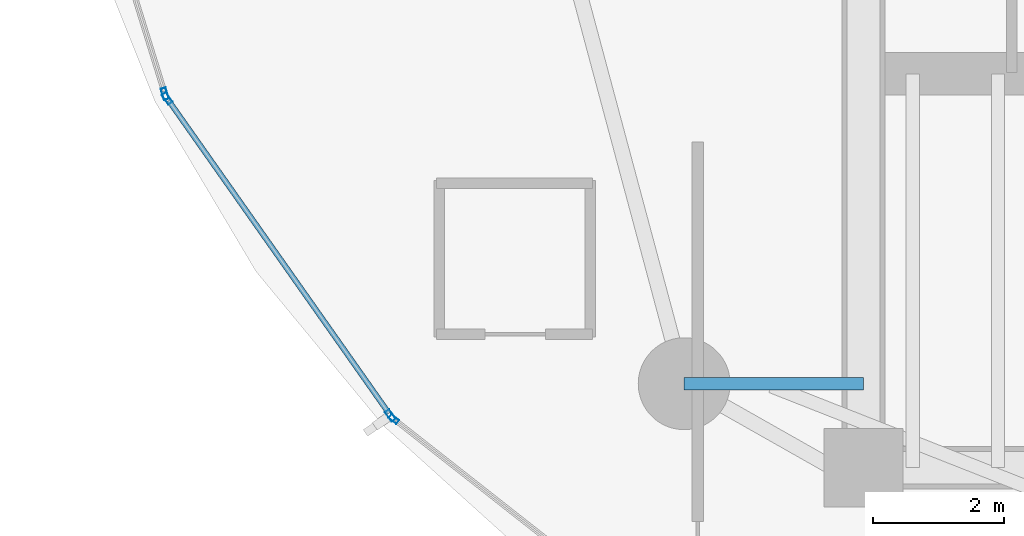
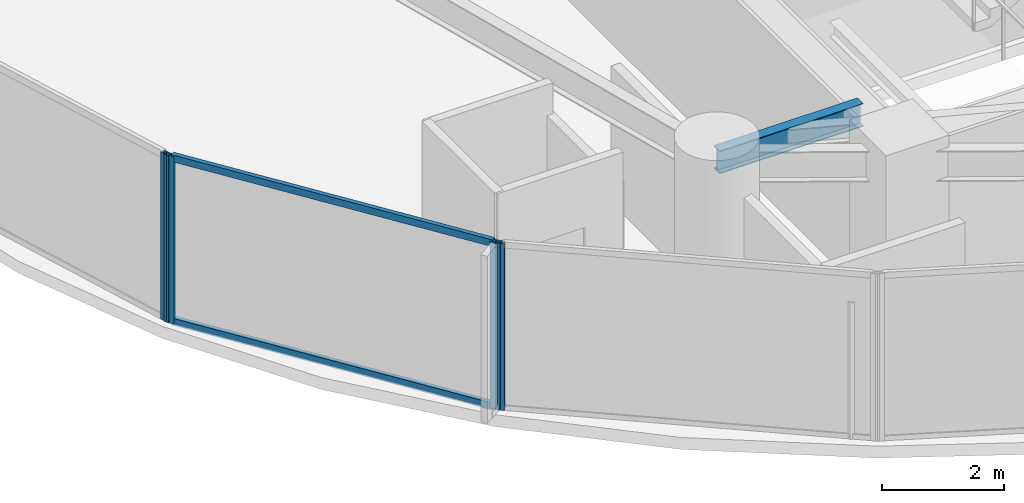
# One storey, part 3 of 32: 6 members, 1 beam, 3 elements without a shape of their own.
"""IFC4 building model written with IfcOpenShell, lengths in metres."""

from ifc_helpers import new_model, si_unit, direction, frame, origin, origin_2d, place, context, subcontext, project, spatial, hollow_rectangle, i_section, extrude, material, layer, layer_set, material_profile, profile_set, type_object, element, aggregate, save


model = new_model("IFC4")

# Units and contexts
model_context = context("Model", 3, precision=1e-05, world=origin(), true_north=direction((0.0, 1.0)))
body_context = subcontext(model_context, "Body", "Model", "MODEL_VIEW")
ifc_project = project(units=[si_unit("LENGTHUNIT", "METRE"), si_unit("AREAUNIT", "SQUARE_METRE"), si_unit("VOLUMEUNIT", "CUBIC_METRE"), si_unit("PLANEANGLEUNIT", "RADIAN"), si_unit("MASSUNIT", "GRAM", prefix="KILO")], contexts=[model_context])

# Site, building, storey
site_placement = place(None, origin())
site = spatial("IfcSite", under=ifc_project, at=site_placement, CompositionType="ELEMENT")
building_placement = place(site_placement, origin())
building = spatial("IfcBuilding", under=site, at=building_placement, Name="Kazevale Care Tower and Concert Hall", CompositionType="ELEMENT")
storey_placement = place(building_placement, frame((0.0, 0.0, 38.39990234375)))
storey = spatial("IfcBuildingStorey", under=building, at=storey_placement, Name="L09", CompositionType="ELEMENT", Elevation=38.39990234375)

# Curtain wall, members
ifc_material_1 = material(Name="Aluminium 6063-T6 and Low-E Glass", Category="aluminium")
ifc_layer_1 = layer(ifc_material_1, 0.179931640625)
ifc_layer_set_1 = layer_set([ifc_layer_1], Name="Aluminium 6063-T6 and Low-E Glass")
curtain_wall_type_1 = type_object("IfcCurtainWallType", Name="Waist & Upper Residential Curtain Wall CW-4", PredefinedType="NOTDEFINED", material=ifc_layer_set_1)
curtain_wall_1_placement = place(storey_placement, origin())
curtain_wall_1 = element("IfcCurtainWall", 1, at=curtain_wall_1_placement, inside=storey, type_object=curtain_wall_type_1, Name="cw:L09:f11", PredefinedType="NOTDEFINED")
ifc_material_2 = material(Name="Aluminium 6063-T6", Category="aluminium")
ifc_material_profile_1 = material_profile(ifc_material_2, hollow_rectangle(XDim=0.080078125, YDim=0.179931640625, WallThickness=0.0048828125, at=origin_2d()), Name="ALU80x180x5")
ifc_profile_set_1 = profile_set([ifc_material_profile_1], Name="Aluminium 6063-T6")
member_type_1 = type_object("IfcMemberType", Name="CW-4 Mullion ALU80x180x5", PredefinedType="MULLION", material=ifc_profile_set_1)
member_1_placement = place(storey_placement, frame((14.794921875, 24.396728515625, 0.0), z_axis=(0.0, 0.0, 1.0), x_axis=(-0.817564654583, -0.575836813322, 0.0)))
member_1 = element("IfcMember", 2, at=member_1_placement, type_object=member_type_1, Name="CW-4 mullion 1", PredefinedType="MULLION", context=body_context, shape_type="SweptSolid", body=[
    extrude(hollow_rectangle(XDim=0.080078125, YDim=0.179931640625, WallThickness=0.0048828125, at=origin_2d()), origin(), (0.0, 0.0, 1.0), 3.360107421875),
])
member_2_placement = place(storey_placement, frame((11.39404296875, 29.225341796875, 0.0), z_axis=(0.0, 0.0, 1.0), x_axis=(-0.817564654583, -0.575836813322, 0.0)))
member_2 = element("IfcMember", 3, at=member_2_placement, type_object=member_type_1, Name="CW-4 mullion 2", PredefinedType="MULLION", context=body_context, shape_type="SweptSolid", body=[
    extrude(hollow_rectangle(XDim=0.080078125, YDim=0.179931640625, WallThickness=0.0048828125, at=origin_2d()), origin(), (0.0, 0.0, 1.0), 3.360107421875),
])

# Curtain wall, member
curtain_wall_2_placement = place(storey_placement, origin())
curtain_wall_2 = element("IfcCurtainWall", 4, at=curtain_wall_2_placement, inside=storey, type_object=curtain_wall_type_1, Name="cw:L09:f12", PredefinedType="NOTDEFINED")
member_3_placement = place(storey_placement, frame((11.359130859375, 29.296142578125, 0.0), z_axis=(0.0, 0.0, 1.0), x_axis=(-0.955157326175, -0.296098771112, 0.0)))
member_3 = element("IfcMember", 5, at=member_3_placement, type_object=member_type_1, Name="CW-4 mullion 1", PredefinedType="MULLION", context=body_context, shape_type="SweptSolid", body=[
    extrude(hollow_rectangle(XDim=0.080078125, YDim=0.179931640625, WallThickness=0.0048828125, at=origin_2d()), origin(), (0.0, 0.0, 1.0), 3.360107421875),
])
aggregate(curtain_wall_2, [member_3])

# Member
ifc_material_profile_2 = material_profile(ifc_material_2, hollow_rectangle(XDim=0.080078125, YDim=0.139892578125, WallThickness=0.00390625, at=origin_2d()), Name="ALU80x140x4")
ifc_profile_set_2 = profile_set([ifc_material_profile_2], Name="Aluminium 6063-T6")
member_type_2 = type_object("IfcMemberType", Name="CW-4 Transom ALU80x140x4", PredefinedType="USERDEFINED", material=ifc_profile_set_2)
member_4_placement = place(storey_placement, frame((14.77197265625, 24.429443359375, 0.0400390625), z_axis=(-0.575850423039, 0.817555068657, 0.0), x_axis=(-0.817555068657, -0.575850423039, 0.0)))
member_4 = element("IfcMember", 6, at=member_4_placement, type_object=member_type_2, Name="CW-4 transom 1.1", ObjectType="TRANSOM", PredefinedType="USERDEFINED", context=body_context, shape_type="SweptSolid", body=[
    extrude(hollow_rectangle(XDim=0.080078125, YDim=0.139892578125, WallThickness=0.00390625, at=origin_2d()), origin(), (0.0, 0.0, 1.0), 5.826171875),
])

member_5_placement = place(storey_placement, frame((14.77197265625, 24.429443359375, 3.320068359375), z_axis=(-0.575850423039, 0.817555068657, 0.0), x_axis=(-0.817555068657, -0.575850423039, 0.0)))
member_5 = element("IfcMember", 7, at=member_5_placement, type_object=member_type_2, Name="CW-4 transom 1.2", ObjectType="TRANSOM", PredefinedType="USERDEFINED", context=body_context, shape_type="SweptSolid", body=[
    extrude(hollow_rectangle(XDim=0.080078125, YDim=0.139892578125, WallThickness=0.00390625, at=origin_2d()), origin(), (0.0, 0.0, 1.0), 5.826171875),
])

aggregate(curtain_wall_1, [member_1, member_2, member_4, member_5])

# Curtain wall, member
ifc_layer_2 = layer(ifc_material_1, 0.179931640625)
ifc_layer_set_2 = layer_set([ifc_layer_2], Name="Aluminium 6063-T6 and Low-E Glass")
curtain_wall_type_2 = type_object("IfcCurtainWallType", Name="Sheltered Concave Balcony Curtain Wall CW-5", PredefinedType="NOTDEFINED", material=ifc_layer_set_2)
curtain_wall_3_placement = place(storey_placement, origin())
curtain_wall_3 = element("IfcCurtainWall", 8, at=curtain_wall_3_placement, inside=storey, type_object=curtain_wall_type_2, Name="cw:L09:f10", PredefinedType="NOTDEFINED")
ifc_material_profile_3 = material_profile(ifc_material_2, hollow_rectangle(XDim=0.074951171875, YDim=0.14990234375, WallThickness=0.00390625, at=origin_2d()), Name="ALU75x150x4")
ifc_profile_set_3 = profile_set([ifc_material_profile_3], Name="Aluminium 6063-T6")
member_type_3 = type_object("IfcMemberType", Name="CW-5 Mullion ALU75x150x4", PredefinedType="MULLION", material=ifc_profile_set_3)
member_6_placement = place(storey_placement, frame((14.847412109375, 24.3408203125, 0.0), z_axis=(0.0, 0.0, 1.0), x_axis=(-0.617807548814, -0.78632934107, 0.0)))
member_6 = element("IfcMember", 9, at=member_6_placement, type_object=member_type_3, Name="CW-5 mullion 2", PredefinedType="MULLION", context=body_context, shape_type="SweptSolid", body=[
    extrude(hollow_rectangle(XDim=0.074951171875, YDim=0.14990234375, WallThickness=0.00390625, at=origin_2d()), origin(), (0.0, 0.0, 1.0), 3.360107421875),
])
aggregate(curtain_wall_3, [member_6])

# Beam
ifc_material_3 = material(Name="Steel ASTM A572 Gr 50", Category="steel")
ifc_material_profile_4 = material_profile(ifc_material_3, i_section(OverallWidth=0.19091796875, OverallDepth=0.4599609375, WebThickness=0.010009765625, FlangeThickness=0.01611328125, at=origin_2d()), Name="W460x82")
ifc_profile_set_4 = profile_set([ifc_material_profile_4], Name="Steel ASTM A572 Gr 50")
beam_type = type_object("IfcBeamType", Name="Radial Floor Beam W460x82", PredefinedType="BEAM", material=ifc_profile_set_4)
beam_placement = place(storey_placement, frame((22.0, 24.8798828125, 3.130126953125), z_axis=(-1.0, 0.0, 0.0), x_axis=(0.0, -1.0, 0.0)))
element("IfcBeam", 10, at=beam_placement, inside=storey, type_object=beam_type, Name="beam:L09:rad:10", PredefinedType="BEAM", context=body_context, shape_type="SweptSolid", body=[
    extrude(i_section(OverallWidth=0.19091796875, OverallDepth=0.4599609375, WebThickness=0.010009765625, FlangeThickness=0.01611328125, at=origin_2d()), origin(), (0.0, 0.0, 1.0), 2.72998046875),
])

save(model, "model.ifc")
